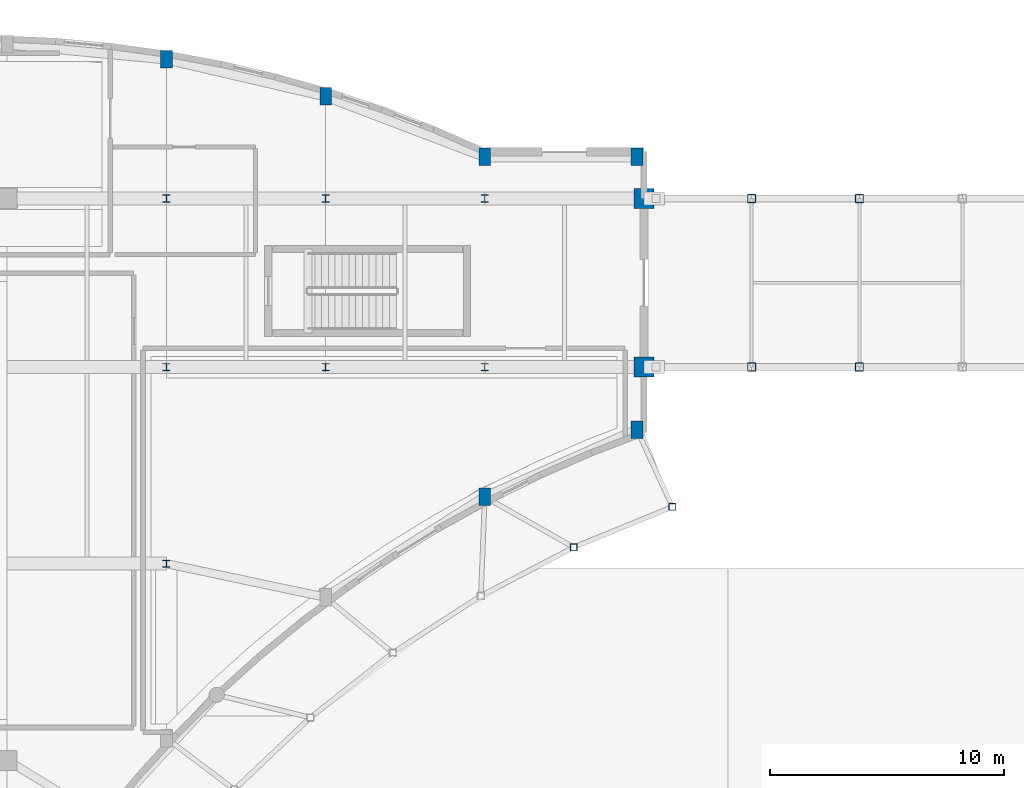
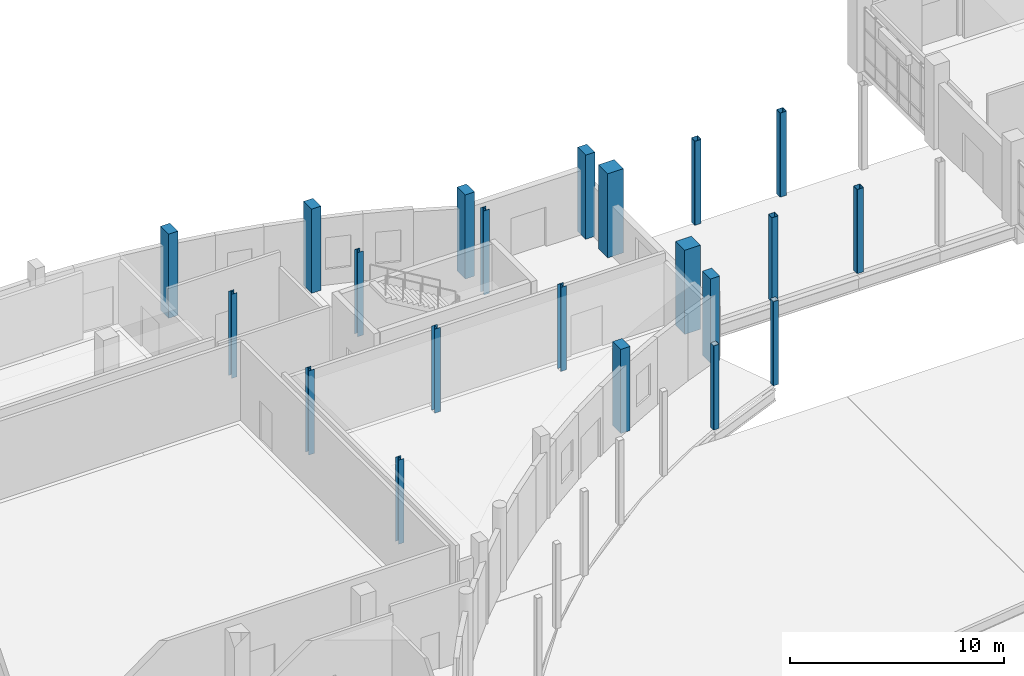
# One storey, part 11 of 97: 21 columns.
"""IFC4 building model written with IfcOpenShell, lengths in metres."""

from ifc_helpers import new_model, si_unit, direction, frame, origin, origin_2d, place, context, subcontext, project, spatial, rectangle, hollow_rectangle, i_section, extrude, material, material_profile, profile_set, type_object, element, save


model = new_model("IFC4")

# Units and contexts
model_context = context("Model", 3, precision=1e-05, world=origin(), true_north=direction((0.0, 1.0)))
body_context = subcontext(model_context, "Body", "Model", "MODEL_VIEW")
ifc_project = project(units=[si_unit("LENGTHUNIT", "METRE"), si_unit("AREAUNIT", "SQUARE_METRE"), si_unit("VOLUMEUNIT", "CUBIC_METRE"), si_unit("PLANEANGLEUNIT", "RADIAN"), si_unit("MASSUNIT", "GRAM", prefix="KILO")], contexts=[model_context])

# Site, building, storey
site_placement = place(None, origin())
site = spatial("IfcSite", under=ifc_project, at=site_placement, CompositionType="ELEMENT")
building_placement = place(site_placement, origin())
building = spatial("IfcBuilding", under=site, at=building_placement, Name="Kisaragi Civic Commons", CompositionType="ELEMENT")
storey_placement = place(building_placement, origin())
storey = spatial("IfcBuildingStorey", under=building, at=storey_placement, Name="L00", CompositionType="ELEMENT", Elevation=0.0)

# Columns
ifc_material_1 = material(Name="Concrete Fc36", Category="concrete")
ifc_material_profile_1 = material_profile(ifc_material_1, rectangle(XDim=0.85009765625, YDim=0.85009765625, at=origin_2d()), Name="RC-850x850", Category="concrete")
ifc_profile_set_1 = profile_set([ifc_material_profile_1], Name="Concrete Fc36")
column_type_1 = type_object("IfcColumnType", Name="C-05", PredefinedType="COLUMN", material=ifc_profile_set_1)
for number, where, z_axis, x_axis, name in (
    (1, (54.39990234375, 104.39990234375, 0.0), (0.0, 0.0, 1.0), (1.0, 0.0, 0.0), "L00 column C-05 (54.4,104.4)"),
    (2, (54.39990234375, 111.60009765625, 0.0), (0.0, 0.0, 1.0), (1.0, 0.0, 0.0), "L00 column C-05 (54.4,111.6)"),
):
    element("IfcColumn", number, at=place(storey_placement, frame(where, z_axis=z_axis, x_axis=x_axis)), inside=storey, type_object=column_type_1, Name=name, PredefinedType="COLUMN", context=body_context, shape_type="SweptSolid", body=[
        extrude(rectangle(XDim=0.85009765625, YDim=0.85009765625, at=origin_2d()), origin(), (0.0, 0.0, 1.0), 4.800048828125),
    ])
ifc_material_2 = material(Name="Concrete Fc30", Category="concrete")
ifc_material_profile_2 = material_profile(ifc_material_2, rectangle(XDim=0.5, YDim=0.75, at=origin_2d()), Name="RC-500x750", Category="concrete")
ifc_profile_set_2 = profile_set([ifc_material_profile_2], Name="Concrete Fc30")
column_type_2 = type_object("IfcColumnType", Name="C-10", PredefinedType="COLUMN", material=ifc_profile_set_2)
for number, where, z_axis, x_axis, name in (
    (3, (34.0, 117.5458984375, 0.0), (0.0, 0.0, 1.0), (1.0, 0.0, 0.0), "L00 column C-10 (34.0,117.5)"),
    (4, (40.800048828125, 115.964111328125, 0.0), (0.0, 0.0, 1.0), (1.0, 0.0, 0.0), "L00 column C-10 (40.8,116.0)"),
    (5, (47.60009765625, 98.851318359375, 0.0), (0.0, 0.0, 1.0), (1.0, 0.0, 0.0), "L00 column C-10 (47.6,98.9)"),
    (6, (47.60009765625, 113.3798828125, 0.0), (0.0, 0.0, 1.0), (1.0, 0.0, 0.0), "L00 column C-10 (47.6,113.4)"),
    (7, (54.10009765625, 101.720458984375, 0.0), (0.0, 0.0, 1.0), (1.0, 0.0, 0.0), "L00 column C-10 (54.1,101.7)"),
    (8, (54.10009765625, 113.3798828125, 0.0), (0.0, 0.0, 1.0), (1.0, 0.0, 0.0), "L00 column C-10 (54.1,113.4)"),
):
    element("IfcColumn", number, at=place(storey_placement, frame(where, z_axis=z_axis, x_axis=x_axis)), inside=storey, type_object=column_type_2, Name=name, PredefinedType="COLUMN", context=body_context, shape_type="SweptSolid", body=[
        extrude(rectangle(XDim=0.5, YDim=0.75, at=origin_2d()), origin(), (0.0, 0.0, 1.0), 4.800048828125),
    ])
ifc_material_3 = material(Name="Steel BCR295", Category="steel")
ifc_material_profile_3 = material_profile(ifc_material_3, hollow_rectangle(XDim=0.35009765625, YDim=0.35009765625, WallThickness=0.011962890625, InnerFilletRadius=0.011962890625, OuterFilletRadius=0.02392578125, at=origin_2d()), Name="BCR-350x350x12", Category="steel")
ifc_profile_set_3 = profile_set([ifc_material_profile_3], Name="Steel BCR295")
column_type_3 = type_object("IfcColumnType", Name="C-13", PredefinedType="COLUMN", material=ifc_profile_set_3)
for number, where, z_axis, x_axis, name in (
    (9, (59.0, 104.39990234375, 0.0), (0.0, 0.0, 1.0), (1.0, 0.0, 0.0), "L00 column C-13 (59.0,104.4)"),
    (10, (59.0, 111.60009765625, 0.0), (0.0, 0.0, 1.0), (1.0, 0.0, 0.0), "L00 column C-13 (59.0,111.6)"),
    (11, (63.60009765625, 104.39990234375, 0.0), (0.0, 0.0, 1.0), (1.0, 0.0, 0.0), "L00 column C-13 (63.6,104.4)"),
    (12, (63.60009765625, 111.60009765625, 0.0), (0.0, 0.0, 1.0), (1.0, 0.0, 0.0), "L00 column C-13 (63.6,111.6)"),
):
    element("IfcColumn", number, at=place(storey_placement, frame(where, z_axis=z_axis, x_axis=x_axis)), inside=storey, type_object=column_type_3, Name=name, PredefinedType="COLUMN", context=body_context, shape_type="SweptSolid", body=[
        extrude(hollow_rectangle(XDim=0.35009765625, YDim=0.35009765625, WallThickness=0.011962890625, InnerFilletRadius=0.011962890625, OuterFilletRadius=0.02392578125, at=origin_2d()), origin(), (0.0, 0.0, 1.0), 4.800048828125),
    ])
ifc_material_profile_4 = material_profile(ifc_material_3, hollow_rectangle(XDim=0.300048828125, YDim=0.300048828125, WallThickness=0.012939453125, InnerFilletRadius=0.012939453125, OuterFilletRadius=0.02587890625, at=origin_2d()), Name="BCR-300x300x13", Category="steel")
ifc_profile_set_4 = profile_set([ifc_material_profile_4], Name="Steel BCR295")
column_type_4 = type_object("IfcColumnType", Name="C-15", PredefinedType="COLUMN", material=ifc_profile_set_4)
for number, where, z_axis, x_axis, name in (
    (13, (51.401611328125, 96.698486328125, 0.0), (0.0, 0.0, 1.0), (1.0, 0.0, 0.0), "L00 column C-15 (51.4,96.7)"),
    (14, (55.617919921875, 98.425537109375, 0.0), (0.0, 0.0, 1.0), (1.0, 0.0, 0.0), "L00 column C-15 (55.6,98.4)"),
):
    element("IfcColumn", number, at=place(storey_placement, frame(where, z_axis=z_axis, x_axis=x_axis)), inside=storey, type_object=column_type_4, Name=name, PredefinedType="COLUMN", context=body_context, shape_type="SweptSolid", body=[
        extrude(hollow_rectangle(XDim=0.300048828125, YDim=0.300048828125, WallThickness=0.012939453125, InnerFilletRadius=0.012939453125, OuterFilletRadius=0.02587890625, at=origin_2d()), origin(), (0.0, 0.0, 1.0), 4.800048828125),
    ])
ifc_material_4 = material(Name="Steel SN490 (SN490B)", Category="steel")
ifc_material_profile_5 = material_profile(ifc_material_4, i_section(OverallWidth=0.300048828125, OverallDepth=0.300048828125, WebThickness=0.010009765625, FlangeThickness=0.014892578125, FilletRadius=0.012939453125, at=origin_2d()), Name="H-300x300x10x15", Category="steel")
ifc_profile_set_5 = profile_set([ifc_material_profile_5], Name="Steel SN490 (SN490B)")
column_type_5 = type_object("IfcColumnType", Name="C-25", PredefinedType="COLUMN", material=ifc_profile_set_5)
for number, where, z_axis, x_axis, name in (
    (15, (34.0, 96.0, 0.0), (0.0, 0.0, 1.0), (1.0, 0.0, 0.0), "L00 column C-25 (34.0,96.0)"),
    (16, (34.0, 104.39990234375, 0.0), (0.0, 0.0, 1.0), (1.0, 0.0, 0.0), "L00 column C-25 (34.0,104.4)"),
    (17, (34.0, 111.60009765625, 0.0), (0.0, 0.0, 1.0), (1.0, 0.0, 0.0), "L00 column C-25 (34.0,111.6)"),
    (18, (40.800048828125, 104.39990234375, 0.0), (0.0, 0.0, 1.0), (1.0, 0.0, 0.0), "L00 column C-25 (40.8,104.4)"),
    (19, (40.800048828125, 111.60009765625, 0.0), (0.0, 0.0, 1.0), (1.0, 0.0, 0.0), "L00 column C-25 (40.8,111.6)"),
    (20, (47.60009765625, 104.39990234375, 0.0), (0.0, 0.0, 1.0), (1.0, 0.0, 0.0), "L00 column C-25 (47.6,104.4)"),
    (21, (47.60009765625, 111.60009765625, 0.0), (0.0, 0.0, 1.0), (1.0, 0.0, 0.0), "L00 column C-25 (47.6,111.6)"),
):
    element("IfcColumn", number, at=place(storey_placement, frame(where, z_axis=z_axis, x_axis=x_axis)), inside=storey, type_object=column_type_5, Name=name, PredefinedType="COLUMN", context=body_context, shape_type="SweptSolid", body=[
        extrude(i_section(OverallWidth=0.300048828125, OverallDepth=0.300048828125, WebThickness=0.010009765625, FlangeThickness=0.014892578125, FilletRadius=0.012939453125, at=origin_2d()), origin(), (0.0, 0.0, 1.0), 4.800048828125),
    ])

save(model, "model.ifc")
